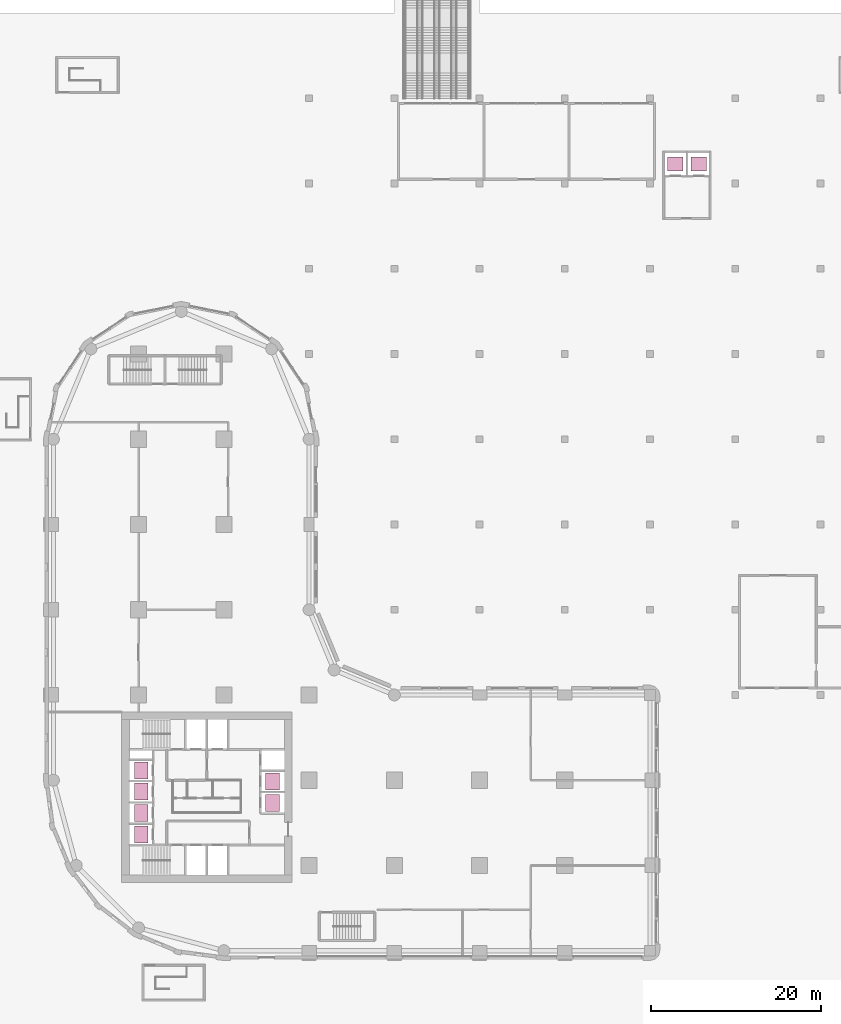
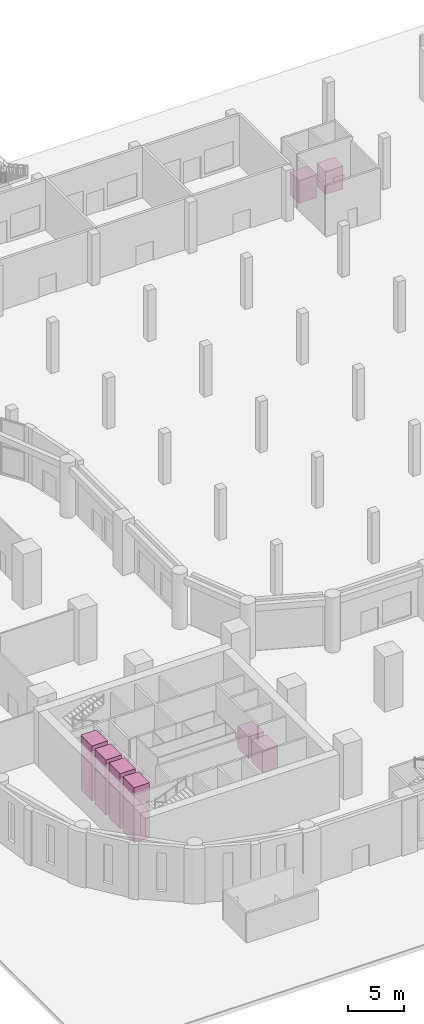
# One storey, part 20 of 21: 12 transport elements.
"""IFC4 building model written with IfcOpenShell, lengths in metres."""

from ifc_helpers import new_model, si_unit, direction, frame, origin, origin_2d, place, context, subcontext, project, spatial, rectangle, extrude, material, type_object, element, save


model = new_model("IFC4")

# Units and contexts
model_context = context("Model", 3, precision=1e-05, world=origin(), true_north=direction((0.0, 1.0)))
body_context = subcontext(model_context, "Body", "Model", "MODEL_VIEW")
ifc_project = project(units=[si_unit("LENGTHUNIT", "METRE"), si_unit("AREAUNIT", "SQUARE_METRE"), si_unit("VOLUMEUNIT", "CUBIC_METRE"), si_unit("PLANEANGLEUNIT", "RADIAN"), si_unit("MASSUNIT", "GRAM", prefix="KILO")], contexts=[model_context])

# Site, building, storey
site_placement = place(None, origin())
site = spatial("IfcSite", under=ifc_project, at=site_placement, CompositionType="ELEMENT")
building_placement = place(site_placement, origin())
building = spatial("IfcBuilding", under=site, at=building_placement, Name="Qaws Garden Tower", CompositionType="ELEMENT")
storey_placement = place(building_placement, origin())
storey = spatial("IfcBuildingStorey", under=building, at=storey_placement, Name="L00", CompositionType="ELEMENT", Elevation=0.0)

# Transport elements
ifc_material_1 = material(Name="Stainless steel 316", Category="steel")
transport_element_type_1 = type_object("IfcTransportElementType", Name="Passenger lift car 2000x1600 1800 kg", PredefinedType="ELEVATOR", material=ifc_material_1)
transport_element_1_placement = place(storey_placement, frame((10.300048828125, 13.64990234375, 0.0), z_axis=(0.0, 0.0, 1.0), x_axis=(1.0, 0.0, 0.0)))
element("IfcTransportElement", 1, at=transport_element_1_placement, inside=storey, type_object=transport_element_type_1, Name="LR1", PredefinedType="ELEVATOR", context=body_context, shape_type="SweptSolid", body=[
    extrude(rectangle(XDim=1.60009765625, YDim=2.0, at=origin_2d()), origin(), (0.0, 0.0, 1.0), 3.949951171875),
])
transport_element_2_placement = place(storey_placement, frame((10.300048828125, 13.64990234375, 3.9501953125), z_axis=(0.0, 0.0, 1.0), x_axis=(1.0, 0.0, 0.0)))
element("IfcTransportElement", 2, at=transport_element_2_placement, inside=storey, type_object=transport_element_type_1, Name="LR1", PredefinedType="ELEVATOR", context=body_context, shape_type="SweptSolid", body=[
    extrude(rectangle(XDim=1.60009765625, YDim=2.0, at=origin_2d()), origin(), (0.0, 0.0, 1.0), 2.050048828125),
])
transport_element_3_placement = place(storey_placement, frame((10.300048828125, 16.14990234375, 0.0), z_axis=(0.0, 0.0, 1.0), x_axis=(1.0, 0.0, 0.0)))
element("IfcTransportElement", 3, at=transport_element_3_placement, inside=storey, type_object=transport_element_type_1, Name="LR2", PredefinedType="ELEVATOR", context=body_context, shape_type="SweptSolid", body=[
    extrude(rectangle(XDim=1.60009765625, YDim=2.0, at=origin_2d()), origin(), (0.0, 0.0, 1.0), 3.949951171875),
])
transport_element_4_placement = place(storey_placement, frame((10.300048828125, 16.14990234375, 3.9501953125), z_axis=(0.0, 0.0, 1.0), x_axis=(1.0, 0.0, 0.0)))
element("IfcTransportElement", 4, at=transport_element_4_placement, inside=storey, type_object=transport_element_type_1, Name="LR2", PredefinedType="ELEVATOR", context=body_context, shape_type="SweptSolid", body=[
    extrude(rectangle(XDim=1.60009765625, YDim=2.0, at=origin_2d()), origin(), (0.0, 0.0, 1.0), 2.050048828125),
])
transport_element_5_placement = place(storey_placement, frame((10.300048828125, 18.64990234375, 0.0), z_axis=(0.0, 0.0, 1.0), x_axis=(1.0, 0.0, 0.0)))
element("IfcTransportElement", 5, at=transport_element_5_placement, inside=storey, type_object=transport_element_type_1, Name="LR3", PredefinedType="ELEVATOR", context=body_context, shape_type="SweptSolid", body=[
    extrude(rectangle(XDim=1.60009765625, YDim=2.0, at=origin_2d()), origin(), (0.0, 0.0, 1.0), 3.949951171875),
])
transport_element_6_placement = place(storey_placement, frame((10.300048828125, 18.64990234375, 3.9501953125), z_axis=(0.0, 0.0, 1.0), x_axis=(1.0, 0.0, 0.0)))
element("IfcTransportElement", 6, at=transport_element_6_placement, inside=storey, type_object=transport_element_type_1, Name="LR3", PredefinedType="ELEVATOR", context=body_context, shape_type="SweptSolid", body=[
    extrude(rectangle(XDim=1.60009765625, YDim=2.0, at=origin_2d()), origin(), (0.0, 0.0, 1.0), 2.050048828125),
])
transport_element_7_placement = place(storey_placement, frame((10.300048828125, 21.14990234375, 0.0), z_axis=(0.0, 0.0, 1.0), x_axis=(1.0, 0.0, 0.0)))
element("IfcTransportElement", 7, at=transport_element_7_placement, inside=storey, type_object=transport_element_type_1, Name="LR4", PredefinedType="ELEVATOR", context=body_context, shape_type="SweptSolid", body=[
    extrude(rectangle(XDim=1.60009765625, YDim=2.0, at=origin_2d()), origin(), (0.0, 0.0, 1.0), 3.949951171875),
])
transport_element_8_placement = place(storey_placement, frame((10.300048828125, 21.14990234375, 3.9501953125), z_axis=(0.0, 0.0, 1.0), x_axis=(1.0, 0.0, 0.0)))
element("IfcTransportElement", 8, at=transport_element_8_placement, inside=storey, type_object=transport_element_type_1, Name="LR4", PredefinedType="ELEVATOR", context=body_context, shape_type="SweptSolid", body=[
    extrude(rectangle(XDim=1.60009765625, YDim=2.0, at=origin_2d()), origin(), (0.0, 0.0, 1.0), 2.050048828125),
])
for number, where, z_axis, x_axis, name in (
    (9, (25.699951171875, 17.35009765625, 0.0), (0.0, 0.0, 1.0), (1.0, 0.0, 0.0), "EX1"),
    (10, (25.699951171875, 19.85009765625, 0.0), (0.0, 0.0, 1.0), (1.0, 0.0, 0.0), "EX2"),
):
    element("IfcTransportElement", number, at=place(storey_placement, frame(where, z_axis=z_axis, x_axis=x_axis)), inside=storey, type_object=transport_element_type_1, Name=name, PredefinedType="ELEVATOR", context=body_context, shape_type="SweptSolid", body=[
        extrude(rectangle(XDim=1.60009765625, YDim=2.0, at=origin_2d()), origin(), (0.0, 0.0, 1.0), 2.39990234375),
    ])
ifc_material_2 = material(Name="Stainless steel 316", Category="steel")
transport_element_type_2 = type_object("IfcTransportElementType", Name="Public lift 1800 x 1600 1350 kg", PredefinedType="ELEVATOR", material=ifc_material_2)
for number, where, z_axis, x_axis, name in (
    (11, (72.949951171875, 92.300048828125, 0.0), (0.0, 0.0, 1.0), (1.0, 0.0, 0.0), "Public lift PL1"),
    (12, (75.699951171875, 92.300048828125, 0.0), (0.0, 0.0, 1.0), (1.0, 0.0, 0.0), "Public lift PL2"),
):
    element("IfcTransportElement", number, at=place(storey_placement, frame(where, z_axis=z_axis, x_axis=x_axis)), inside=storey, type_object=transport_element_type_2, Name=name, PredefinedType="ELEVATOR", context=body_context, shape_type="SweptSolid", body=[
        extrude(rectangle(XDim=1.800048828125, YDim=1.60009765625, at=origin_2d()), origin(), (0.0, 0.0, 1.0), 2.5),
    ])

save(model, "model.ifc")
